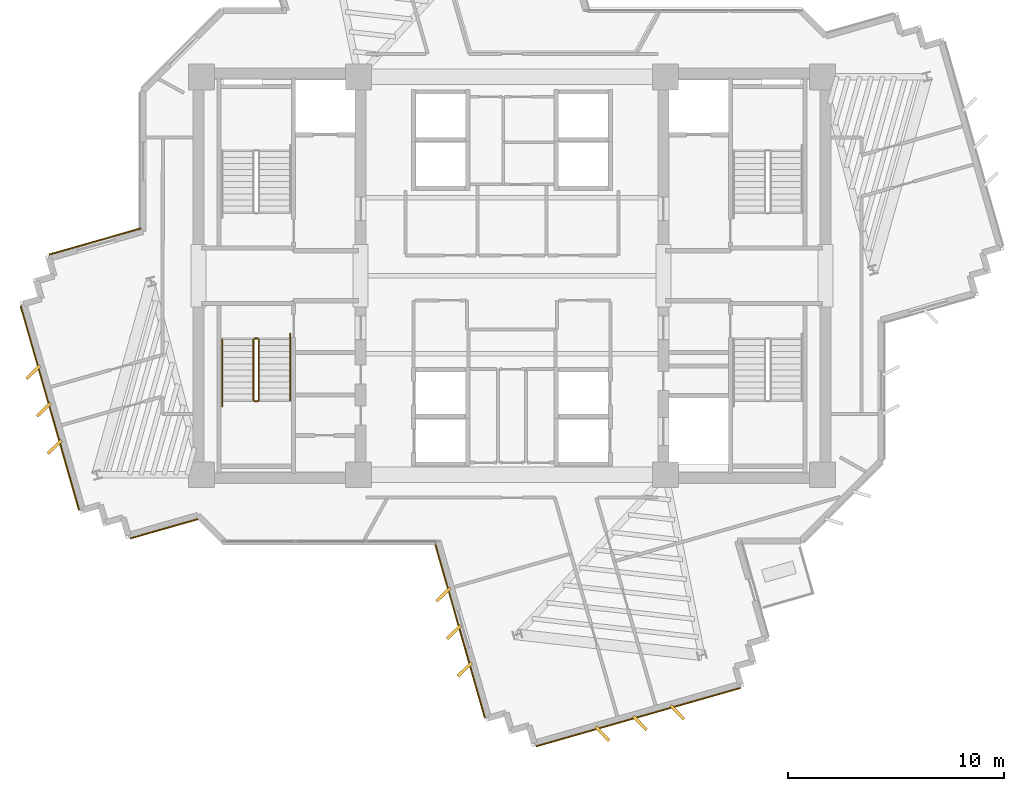
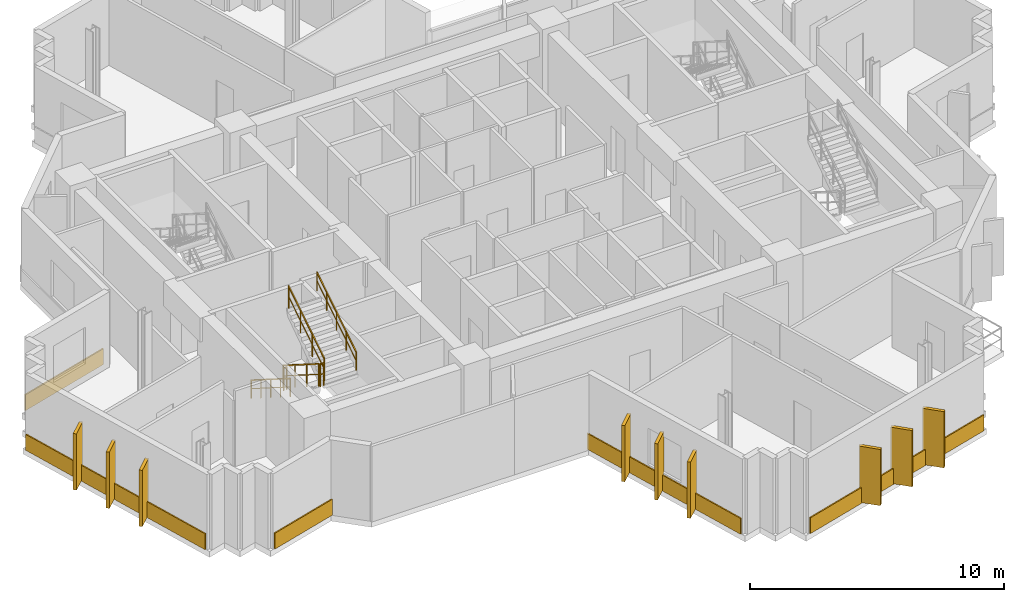
# One storey, part 11 of 14: 14 coverings, 6 railings.
"""IFC4 building model written with IfcOpenShell, lengths in metres."""

from ifc_helpers import new_model, si_unit, direction, frame, origin, origin_2d, place, context, subcontext, project, spatial, rectangle, extrude, source, transform, mapped, material, layer, layer_set, type_object, element, save


model = new_model("IFC4")

# Units and contexts
model_context = context("Model", 3, precision=1e-05, world=origin(), true_north=direction((0.0, 1.0)))
body_context = subcontext(model_context, "Body", "Model", "MODEL_VIEW")
ifc_project = project(units=[si_unit("LENGTHUNIT", "METRE"), si_unit("AREAUNIT", "SQUARE_METRE"), si_unit("VOLUMEUNIT", "CUBIC_METRE"), si_unit("PLANEANGLEUNIT", "RADIAN"), si_unit("MASSUNIT", "GRAM", prefix="KILO")], contexts=[model_context])

# Site, building, storey
site_placement = place(None, origin())
site = spatial("IfcSite", under=ifc_project, at=site_placement, CompositionType="ELEMENT")
building_placement = place(site_placement, origin())
building = spatial("IfcBuilding", under=site, at=building_placement, Name="Zahravan Cultural Tower", CompositionType="ELEMENT")
storey_placement = place(building_placement, frame((0.0, 0.0, 209.699951171875)))
storey = spatial("IfcBuildingStorey", under=building, at=storey_placement, Name="L49", CompositionType="ELEMENT", Elevation=209.699951171875)

# Railings
ifc_material_1 = material(Name="Steel ASTM A572 Grade 50", Category="steel")
railing_type_1 = type_object("IfcRailingType", Name="RL-STAIR-GRD1150", PredefinedType="BALUSTRADE", material=ifc_material_1)
railing_1_placement = place(storey_placement, frame((24.050048828125, 24.050048828125, 0.17724609375)))
element("IfcRailing", 1, at=railing_1_placement, inside=storey, type_object=railing_type_1, Name="L49 ST-W2 stair guard 1", PredefinedType="BALUSTRADE", context=body_context, shape_type="SweptSolid", body=[
    extrude(rectangle(XDim=0.05, YDim=0.05, at=origin_2d()), frame((0.0, 0.0, 1.0751953125), z_axis=(0.0, -0.844908973607, 0.534910110503), x_axis=(1.0, 0.0, 0.0)), (0.0, 0.0, 1.0), 3.31396484375),
    extrude(rectangle(XDim=0.032, YDim=0.032, at=origin_2d()), frame((0.0, 0.0, 0.572021484375), z_axis=(0.0, -0.844908973607, 0.534910110503), x_axis=(1.0, 0.0, 0.0)), (0.0, 0.0, 1.0), 3.31396484375),
    extrude(rectangle(XDim=0.04, YDim=0.04, at=origin_2d()), origin(), (0.0, 0.0, 1.0), 1.10009765625),
    extrude(rectangle(XDim=0.04, YDim=0.04, at=origin_2d()), frame((0.0, -0.933349609375, 0.5908203125)), (0.0, 0.0, 1.0), 1.10009765625),
    extrude(rectangle(XDim=0.04, YDim=0.04, at=origin_2d()), frame((0.0, -1.86669921875, 1.181884765625)), (0.0, 0.0, 1.0), 1.10009765625),
    extrude(rectangle(XDim=0.04, YDim=0.04, at=origin_2d()), frame((0.0, -2.800048828125, 1.772705078125)), (0.0, 0.0, 1.0), 1.10009765625),
])
railing_2_placement = place(storey_placement, frame((24.10009765625, 21.199951171875, 1.949951171875)))
element("IfcRailing", 2, at=railing_2_placement, inside=storey, type_object=railing_type_1, Name="L49 ST-W2 stair guard 2", PredefinedType="BALUSTRADE", context=body_context, shape_type="SweptSolid", body=[
    extrude(rectangle(XDim=0.05, YDim=0.05, at=origin_2d()), frame((0.0, 0.0, 1.0751953125), z_axis=(1.0, 0.0, 0.0), x_axis=(0.0, 1.0, 0.0)), (0.0, 0.0, 1.0), 0.14990234375),
    extrude(rectangle(XDim=0.032, YDim=0.032, at=origin_2d()), frame((0.0, 0.0, 0.572021484375), z_axis=(1.0, 0.0, 0.0), x_axis=(0.0, 1.0, 0.0)), (0.0, 0.0, 1.0), 0.14990234375),
    extrude(rectangle(XDim=0.04, YDim=0.04, at=origin_2d()), origin(), (0.0, 0.0, 1.0), 1.10009765625),
    extrude(rectangle(XDim=0.04, YDim=0.04, at=origin_2d()), frame((0.14990234375, 0.0, 0.0)), (0.0, 0.0, 1.0), 1.10009765625),
])
railing_3_placement = place(storey_placement, frame((24.300048828125, 21.25, 2.12744140625)))
element("IfcRailing", 3, at=railing_3_placement, inside=storey, type_object=railing_type_1, Name="L49 ST-W2 stair guard 3", PredefinedType="BALUSTRADE", context=body_context, shape_type="SweptSolid", body=[
    extrude(rectangle(XDim=0.05, YDim=0.05, at=origin_2d()), frame((0.0, 0.0, 1.0751953125), z_axis=(0.0, 0.844908973607, 0.534910110503), x_axis=(-1.0, 0.0, 0.0)), (0.0, 0.0, 1.0), 3.31396484375),
    extrude(rectangle(XDim=0.032, YDim=0.032, at=origin_2d()), frame((0.0, 0.0, 0.572021484375), z_axis=(0.0, 0.844908973607, 0.534910110503), x_axis=(-1.0, 0.0, 0.0)), (0.0, 0.0, 1.0), 3.31396484375),
    extrude(rectangle(XDim=0.04, YDim=0.04, at=origin_2d()), origin(), (0.0, 0.0, 1.0), 1.10009765625),
    extrude(rectangle(XDim=0.04, YDim=0.04, at=origin_2d()), frame((0.0, 0.933349609375, 0.5908203125)), (0.0, 0.0, 1.0), 1.10009765625),
    extrude(rectangle(XDim=0.04, YDim=0.04, at=origin_2d()), frame((0.0, 1.86669921875, 1.181884765625)), (0.0, 0.0, 1.0), 1.10009765625),
    extrude(rectangle(XDim=0.04, YDim=0.04, at=origin_2d()), frame((0.0, 2.800048828125, 1.772705078125)), (0.0, 0.0, 1.0), 1.10009765625),
])
railing_4_placement = place(storey_placement, frame((24.10009765625, 24.10009765625, 0.0)))
element("IfcRailing", 4, at=railing_4_placement, inside=storey, type_object=railing_type_1, Name="L49 ST-W2 stair guard 4", PredefinedType="BALUSTRADE", context=body_context, shape_type="SweptSolid", body=[
    extrude(rectangle(XDim=0.05, YDim=0.05, at=origin_2d()), frame((0.0, 0.0, 1.0751953125), z_axis=(1.0, 0.0, 0.0), x_axis=(0.0, 1.0, 0.0)), (0.0, 0.0, 1.0), 0.14990234375),
    extrude(rectangle(XDim=0.032, YDim=0.032, at=origin_2d()), frame((0.0, 0.0, 0.572021484375), z_axis=(1.0, 0.0, 0.0), x_axis=(0.0, 1.0, 0.0)), (0.0, 0.0, 1.0), 0.14990234375),
    extrude(rectangle(XDim=0.04, YDim=0.04, at=origin_2d()), origin(), (0.0, 0.0, 1.0), 1.10009765625),
    extrude(rectangle(XDim=0.04, YDim=0.04, at=origin_2d()), frame((0.14990234375, 0.0, 0.0)), (0.0, 0.0, 1.0), 1.10009765625),
])
railing_type_2 = type_object("IfcRailingType", Name="RL-STAIR-HR900", PredefinedType="HANDRAIL", material=ifc_material_1)
railing_5_placement = place(storey_placement, frame((22.60009765625, 24.050048828125, 0.17724609375)))
element("IfcRailing", 5, at=railing_5_placement, inside=storey, type_object=railing_type_2, Name="L49 ST-W2 stair handrail 1", PredefinedType="HANDRAIL", context=body_context, shape_type="SweptSolid", body=[
    extrude(rectangle(XDim=0.05, YDim=0.05, at=origin_2d()), frame((0.0, 0.0, 0.875), z_axis=(0.0, -0.844883648757, 0.534950109882), x_axis=(1.0, 0.0, 0.0)), (0.0, 0.0, 1.0), 3.6455078125),
    extrude(rectangle(XDim=0.032, YDim=0.032, at=origin_2d()), frame((0.0, 0.0, 0.468017578125), z_axis=(0.0, -0.844883648757, 0.534950109882), x_axis=(1.0, 0.0, 0.0)), (0.0, 0.0, 1.0), 3.6455078125),
    extrude(rectangle(XDim=0.04, YDim=0.04, at=origin_2d()), origin(), (0.0, 0.0, 1.0), 0.89990234375),
    extrude(rectangle(XDim=0.04, YDim=0.04, at=origin_2d()), frame((0.0, -0.77001953125, 0.487548828125)), (0.0, 0.0, 1.0), 0.89990234375),
    extrude(rectangle(XDim=0.04, YDim=0.04, at=origin_2d()), frame((0.0, -1.5400390625, 0.97509765625)), (0.0, 0.0, 1.0), 0.89990234375),
    extrude(rectangle(XDim=0.04, YDim=0.04, at=origin_2d()), frame((0.0, -2.31005859375, 1.462646484375)), (0.0, 0.0, 1.0), 0.89990234375),
    extrude(rectangle(XDim=0.04, YDim=0.04, at=origin_2d()), frame((0.0, -3.080078125, 1.9501953125)), (0.0, 0.0, 1.0), 0.89990234375),
])
railing_6_placement = place(storey_placement, frame((25.75, 21.25, 2.12744140625)))
element("IfcRailing", 6, at=railing_6_placement, inside=storey, type_object=railing_type_2, Name="L49 ST-W2 stair handrail 2", PredefinedType="HANDRAIL", context=body_context, shape_type="SweptSolid", body=[
    extrude(rectangle(XDim=0.05, YDim=0.05, at=origin_2d()), frame((0.0, 0.0, 0.875), z_axis=(0.0, 0.844913916606, 0.534902302785), x_axis=(-1.0, 0.0, 0.0)), (0.0, 0.0, 1.0), 3.6455078125),
    extrude(rectangle(XDim=0.032, YDim=0.032, at=origin_2d()), frame((0.0, 0.0, 0.468017578125), z_axis=(0.0, 0.844913916606, 0.534902302785), x_axis=(-1.0, 0.0, 0.0)), (0.0, 0.0, 1.0), 3.6455078125),
    extrude(rectangle(XDim=0.04, YDim=0.04, at=origin_2d()), origin(), (0.0, 0.0, 1.0), 0.89990234375),
    extrude(rectangle(XDim=0.04, YDim=0.04, at=origin_2d()), frame((0.0, 0.77001953125, 0.487548828125)), (0.0, 0.0, 1.0), 0.89990234375),
    extrude(rectangle(XDim=0.04, YDim=0.04, at=origin_2d()), frame((0.0, 1.5400390625, 0.97509765625)), (0.0, 0.0, 1.0), 0.89990234375),
    extrude(rectangle(XDim=0.04, YDim=0.04, at=origin_2d()), frame((0.0, 2.31005859375, 1.46240234375)), (0.0, 0.0, 1.0), 0.89990234375),
    extrude(rectangle(XDim=0.04, YDim=0.04, at=origin_2d()), frame((0.0, 3.080078125, 1.949951171875)), (0.0, 0.0, 1.0), 0.89990234375),
])

# Coverings
ifc_material_2 = material(Name="Terracotta ceramic cladding", Category="masonry")
ifc_layer = layer(ifc_material_2, 0.06005859375)
ifc_layer_set = layer_set([ifc_layer], Name="Terracotta ceramic cladding")
covering_type = type_object("IfcCoveringType", Name="COV-CLAD-TC60", PredefinedType="CLADDING", material=ifc_layer_set)
shared_shape_1 = source(origin(), body_context, "Body", "SweptSolid", [
    extrude(rectangle(XDim=9.820068359375, YDim=0.06005859375, at=origin_2d()), origin(), (0.0, 0.0, 1.0), 0.760009765625),
])
for number, where, z_axis, x_axis, name in (
    (7, (41.836181640625, 6.593017578125, 0.02001953125), (0.0, 0.0, 1.0), (-0.961453892845, -0.274966201438, 0.0), "L49 Terracotta Spandrel Cladding 20"),
    (8, (14.631591796875, 20.888916015625, 0.02001953125), (0.0, 0.0, 1.0), (-0.274966201438, 0.961453892845, 0.0), "L49 Terracotta Spandrel Cladding 32"),
):
    element("IfcCovering", number, at=place(storey_placement, frame(where, z_axis=z_axis, x_axis=x_axis)), inside=storey, type_object=covering_type, Name=name, PredefinedType="CLADDING", context=body_context, shape_type="MappedRepresentation", body=[
        mapped(shared_shape_1, transform((0.0, 0.0, 0.0), x_axis=(1.0, 0.0, 0.0), y_axis=(0.0, 1.0, 0.0), z_axis=(0.0, 0.0, 1.0), scale=1.0)),
    ])
shared_shape_2 = source(origin(), body_context, "Body", "SweptSolid", [
    extrude(rectangle(XDim=0.8798828125, YDim=0.139892578125, at=origin_2d()), origin(), (0.0, 0.0, 1.0), 2.699951171875),
])
for number, where, z_axis, x_axis, name in (
    (9, (43.645263671875, 6.81396484375, 0.05029296875), (0.0, 0.0, 1.0), (0.694156007298, -0.71982458803, 0.0), "L49 Herringbone Terracotta Fin 09"),
    (10, (41.91455078125, 6.319091796875, 0.05029296875), (0.0, 0.0, 1.0), (0.694156007298, -0.71982458803, 0.0), "L49 Herringbone Terracotta Fin 10"),
    (11, (40.183837890625, 5.82421875, 0.05029296875), (0.0, 0.0, 1.0), (0.694156007298, -0.71982458803, 0.0), "L49 Herringbone Terracotta Fin 11"),
    (12, (33.81201171875, 8.793212890625, 0.05029296875), (0.0, 0.0, 1.0), (-0.71982458803, -0.694156007298, 0.0), "L49 Herringbone Terracotta Fin 12"),
    (13, (33.31689453125, 10.523681640625, 0.05029296875), (0.0, 0.0, 1.0), (-0.71982458803, -0.694156007298, 0.0), "L49 Herringbone Terracotta Fin 13"),
    (14, (32.822021484375, 12.25439453125, 0.05029296875), (0.0, 0.0, 1.0), (-0.71982458803, -0.694156007298, 0.0), "L49 Herringbone Terracotta Fin 14"),
    (15, (14.8525390625, 19.079833984375, 0.05029296875), (0.0, 0.0, 1.0), (-0.71982458803, -0.694156007298, 0.0), "L49 Herringbone Terracotta Fin 15"),
    (16, (14.357666015625, 20.810546875, 0.05029296875), (0.0, 0.0, 1.0), (-0.71982458803, -0.694156007298, 0.0), "L49 Herringbone Terracotta Fin 16"),
    (17, (13.86279296875, 22.541015625, 0.05029296875), (0.0, 0.0, 1.0), (-0.71982458803, -0.694156007298, 0.0), "L49 Herringbone Terracotta Fin 17"),
):
    element("IfcCovering", number, at=place(storey_placement, frame(where, z_axis=z_axis, x_axis=x_axis)), inside=storey, type_object=covering_type, Name=name, PredefinedType="CLADDING", context=body_context, shape_type="MappedRepresentation", body=[
        mapped(shared_shape_2, transform((0.0, 0.0, 0.0), x_axis=(1.0, 0.0, 0.0), y_axis=(0.0, 1.0, 0.0), z_axis=(0.0, 0.0, 1.0), scale=1.0)),
    ])
shared_shape_3 = source(origin(), body_context, "Body", "SweptSolid", [
    extrude(rectangle(XDim=3.251220703125, YDim=0.06005859375, at=origin_2d()), origin(), (0.0, 0.0, 1.0), 0.760009765625),
])
covering_1_placement = place(storey_placement, frame((19.91259765625, 15.300537109375, 0.02001953125), z_axis=(0.0, 0.0, 1.0), x_axis=(-0.961449093633, -0.274982981932, 0.0)))
element("IfcCovering", 18, at=covering_1_placement, inside=storey, type_object=covering_type, Name="L49 Terracotta Spandrel Cladding 27", PredefinedType="CLADDING", context=body_context, shape_type="MappedRepresentation", body=[
    mapped(shared_shape_3, transform((0.0, 0.0, 0.0), x_axis=(1.0, 0.0, 0.0), y_axis=(0.0, 1.0, 0.0), z_axis=(0.0, 0.0, 1.0), scale=1.0)),
])
shared_shape_4 = source(origin(), body_context, "Body", "SweptSolid", [
    extrude(rectangle(XDim=4.420654296875, YDim=0.06005859375, at=origin_2d()), origin(), (0.0, 0.0, 1.0), 0.760009765625),
])
covering_2_placement = place(storey_placement, frame((16.721435546875, 28.585205078125, 0.02001953125), z_axis=(0.0, 0.0, 1.0), x_axis=(0.961458691764, 0.27494942086, 0.0)))
element("IfcCovering", 19, at=covering_2_placement, inside=storey, type_object=covering_type, Name="L49 Terracotta Spandrel Cladding 37", PredefinedType="CLADDING", context=body_context, shape_type="MappedRepresentation", body=[
    mapped(shared_shape_4, transform((0.0, 0.0, 0.0), x_axis=(1.0, 0.0, 0.0), y_axis=(0.0, 1.0, 0.0), z_axis=(0.0, 0.0, 1.0), scale=1.0)),
])
shared_shape_5 = source(origin(), body_context, "Body", "SweptSolid", [
    extrude(rectangle(XDim=8.4130859375, YDim=0.06005859375, at=origin_2d()), origin(), (0.0, 0.0, 1.0), 0.760009765625),
])
covering_3_placement = place(storey_placement, frame((33.591064453125, 10.60205078125, 0.02001953125), z_axis=(0.0, 0.0, 1.0), x_axis=(-0.274966201438, 0.961453892845, 0.0)))
element("IfcCovering", 20, at=covering_3_placement, inside=storey, type_object=covering_type, Name="L49 Terracotta Spandrel Cladding 25", PredefinedType="CLADDING", context=body_context, shape_type="MappedRepresentation", body=[
    mapped(shared_shape_5, transform((0.0, 0.0, 0.0), x_axis=(1.0, 0.0, 0.0), y_axis=(0.0, 1.0, 0.0), z_axis=(0.0, 0.0, 1.0), scale=1.0)),
])

save(model, "model.ifc")
